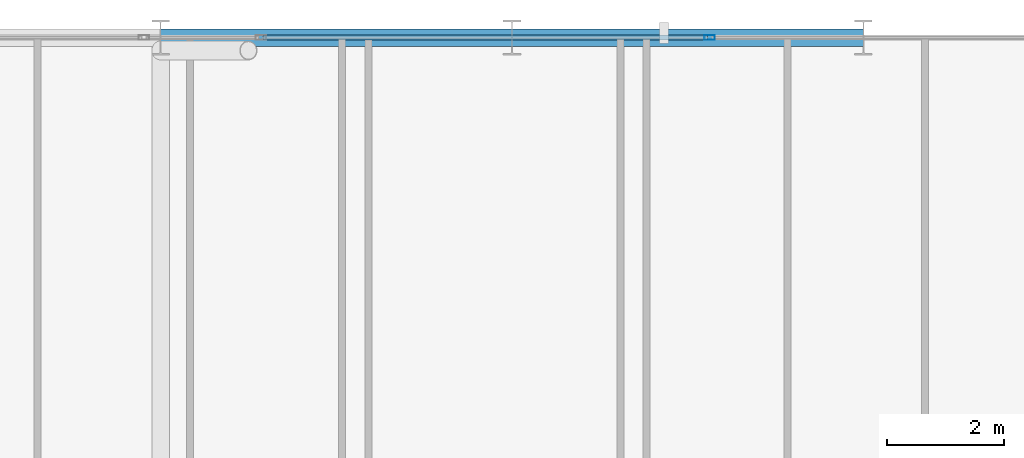
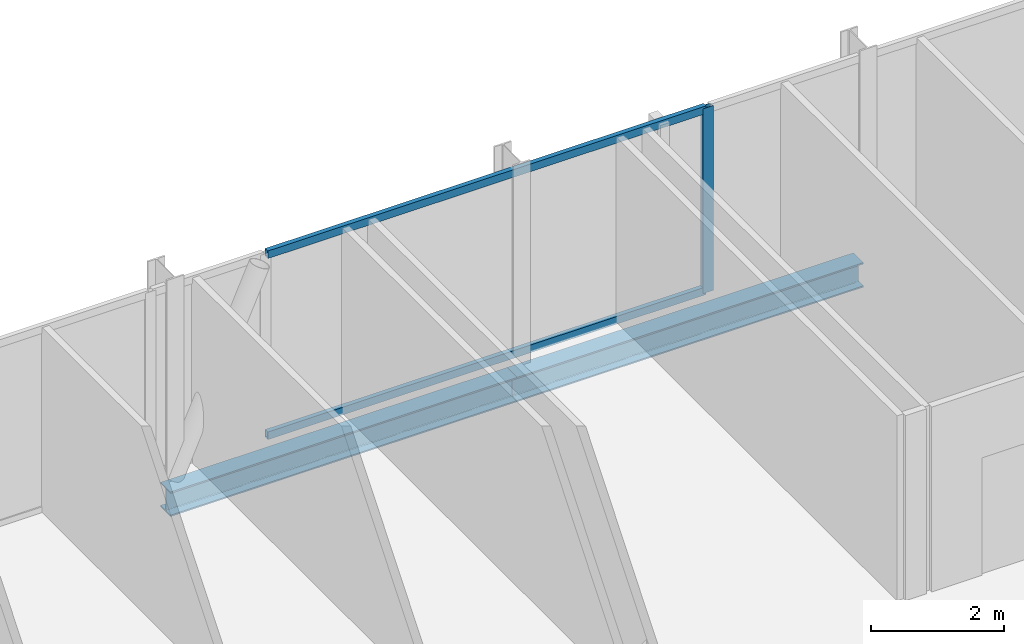
# One storey, part 19 of 30: 3 members, 2 beams, 1 element without a shape of its own.
"""IFC4 building model written with IfcOpenShell, lengths in metres."""

from ifc_helpers import new_model, si_unit, direction, frame, origin, origin_2d, place, context, subcontext, project, spatial, hollow_rectangle, i_section, extrude, material, layer, layer_set, material_profile, profile_set, type_object, element, aggregate, save


model = new_model("IFC4")

# Units and contexts
model_context = context("Model", 3, precision=1e-05, world=origin(), true_north=direction((0.0, 1.0)))
body_context = subcontext(model_context, "Body", "Model", "MODEL_VIEW")
ifc_project = project(units=[si_unit("LENGTHUNIT", "METRE"), si_unit("AREAUNIT", "SQUARE_METRE"), si_unit("VOLUMEUNIT", "CUBIC_METRE"), si_unit("PLANEANGLEUNIT", "RADIAN"), si_unit("MASSUNIT", "GRAM", prefix="KILO")], contexts=[model_context])

# Site, building, storey
site_placement = place(None, origin())
site = spatial("IfcSite", under=ifc_project, at=site_placement, CompositionType="ELEMENT")
building_placement = place(site_placement, origin())
building = spatial("IfcBuilding", under=site, at=building_placement, Name="Keshet Zoharim Tower", CompositionType="ELEMENT")
storey_placement = place(building_placement, frame((0.0, 0.0, 109.39990234375)))
storey = spatial("IfcBuildingStorey", under=building, at=storey_placement, Name="L26", CompositionType="ELEMENT", Elevation=109.39990234375)

# Beams
ifc_material_1 = material(Name="Steel S355", Category="steel")
ifc_material_profile_1 = material_profile(ifc_material_1, i_section(OverallWidth=0.300048828125, OverallDepth=0.449951171875, WebThickness=0.013916015625, FlangeThickness=0.02587890625, FilletRadius=0.027099609375, at=origin_2d()), Name="HEB450")
ifc_profile_set_1 = profile_set([ifc_material_profile_1], Name="Steel S355")
beam_type = type_object("IfcBeamType", Name="BM-WEB-HB450", PredefinedType="BEAM", material=ifc_profile_set_1)
for number, where, z_axis, x_axis, name in (
    (1, (33.0, 53.89990234375, -0.539794921875), (1.0, 0.0, 0.0), (0.0, 1.0, 0.0), "L26 Primary Girder X-021"),
    (2, (39.0, 53.89990234375, -0.539794921875), (1.0, 0.0, 0.0), (0.0, 1.0, 0.0), "L26 Primary Girder X-022"),
):
    element("IfcBeam", number, at=place(storey_placement, frame(where, z_axis=z_axis, x_axis=x_axis)), inside=storey, type_object=beam_type, Name=name, PredefinedType="BEAM", context=body_context, shape_type="SweptSolid", body=[
        extrude(i_section(OverallWidth=0.300048828125, OverallDepth=0.449951171875, WebThickness=0.013916015625, FlangeThickness=0.02587890625, FilletRadius=0.027099609375, at=origin_2d()), origin(), (0.0, 0.0, 1.0), 6.0),
    ])

# Curtain wall, members
ifc_material_2 = material(Name="Aluminium 6063-T6", Category="aluminium")
ifc_layer = layer(ifc_material_2, 0.159912109375)
ifc_layer_set = layer_set([ifc_layer], Name="Aluminium 6063-T6")
curtain_wall_type = type_object("IfcCurtainWallType", Name="CW-SYS-03", PredefinedType="NOTDEFINED", material=ifc_layer_set)
curtain_wall_placement = place(storey_placement, origin())
curtain_wall = element("IfcCurtainWall", 3, at=curtain_wall_placement, inside=storey, type_object=curtain_wall_type, Name="L26 Unitised Curtain Wall 13 Part 5", PredefinedType="NOTDEFINED")
ifc_material_profile_2 = material_profile(ifc_material_2, hollow_rectangle(XDim=0.080078125, YDim=0.179931640625, WallThickness=0.00439453125, at=origin_2d()), Name="MUL-80x180")
ifc_profile_set_2 = profile_set([ifc_material_profile_2], Name="Aluminium 6063-T6")
member_type_1 = type_object("IfcMemberType", Name="CWM-M18", PredefinedType="MULLION", material=ifc_profile_set_2)
member_1_placement = place(storey_placement, frame((42.3740234375, 53.89990234375, 0.0), z_axis=(0.0, 0.0, 1.0), x_axis=(0.0, 1.0, 0.0)))
member_1 = element("IfcMember", 4, at=member_1_placement, type_object=member_type_1, Name="CW-03 mullion 2", PredefinedType="MULLION", context=body_context, shape_type="SweptSolid", body=[
    extrude(hollow_rectangle(XDim=0.080078125, YDim=0.179931640625, WallThickness=0.00439453125, at=origin_2d()), origin(), (0.0, 0.0, 1.0), 3.385009765625),
])
ifc_material_profile_3 = material_profile(ifc_material_2, hollow_rectangle(XDim=0.080078125, YDim=0.139892578125, WallThickness=0.00390625, at=origin_2d()), Name="TRN-80x140")
ifc_profile_set_3 = profile_set([ifc_material_profile_3], Name="Aluminium 6063-T6")
member_type_2 = type_object("IfcMemberType", Name="CWT-T14", PredefinedType="USERDEFINED", material=ifc_profile_set_3)
member_2_placement = place(storey_placement, frame((34.748046875, 53.89990234375, 0.03515625), z_axis=(1.0, 0.0, 0.0), x_axis=(0.0, 1.0, 0.0)))
member_2 = element("IfcMember", 5, at=member_2_placement, type_object=member_type_2, Name="CW-03 transom 1.1", ObjectType="TRANSOM", PredefinedType="USERDEFINED", context=body_context, shape_type="SweptSolid", body=[
    extrude(hollow_rectangle(XDim=0.080078125, YDim=0.139892578125, WallThickness=0.00390625, at=origin_2d()), origin(), (0.0, 0.0, 1.0), 7.591064453125),
])
member_3_placement = place(storey_placement, frame((34.748046875, 53.89990234375, 3.35009765625), z_axis=(1.0, 0.0, 0.0), x_axis=(0.0, 1.0, 0.0)))
member_3 = element("IfcMember", 6, at=member_3_placement, type_object=member_type_2, Name="CW-03 transom 1.2", ObjectType="TRANSOM", PredefinedType="USERDEFINED", context=body_context, shape_type="SweptSolid", body=[
    extrude(hollow_rectangle(XDim=0.080078125, YDim=0.139892578125, WallThickness=0.00390625, at=origin_2d()), origin(), (0.0, 0.0, 1.0), 7.591064453125),
])
aggregate(curtain_wall, [member_1, member_2, member_3])

save(model, "model.ifc")
